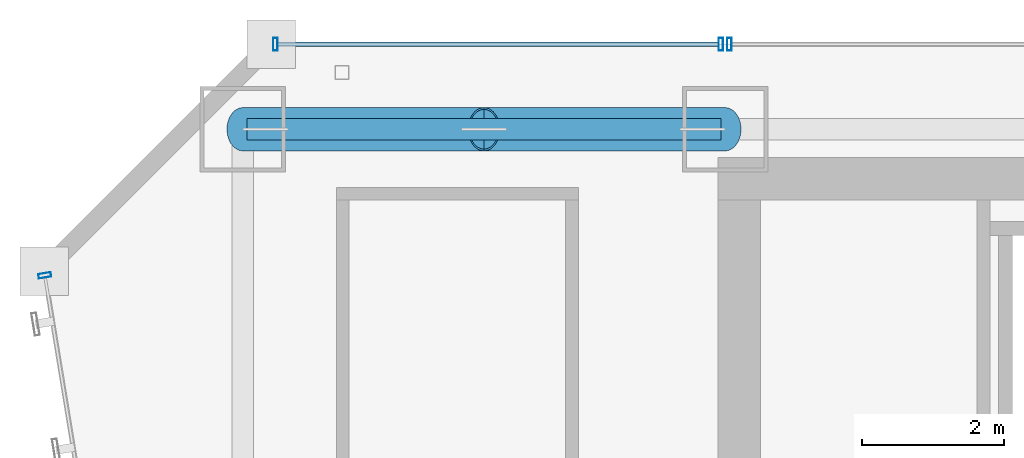
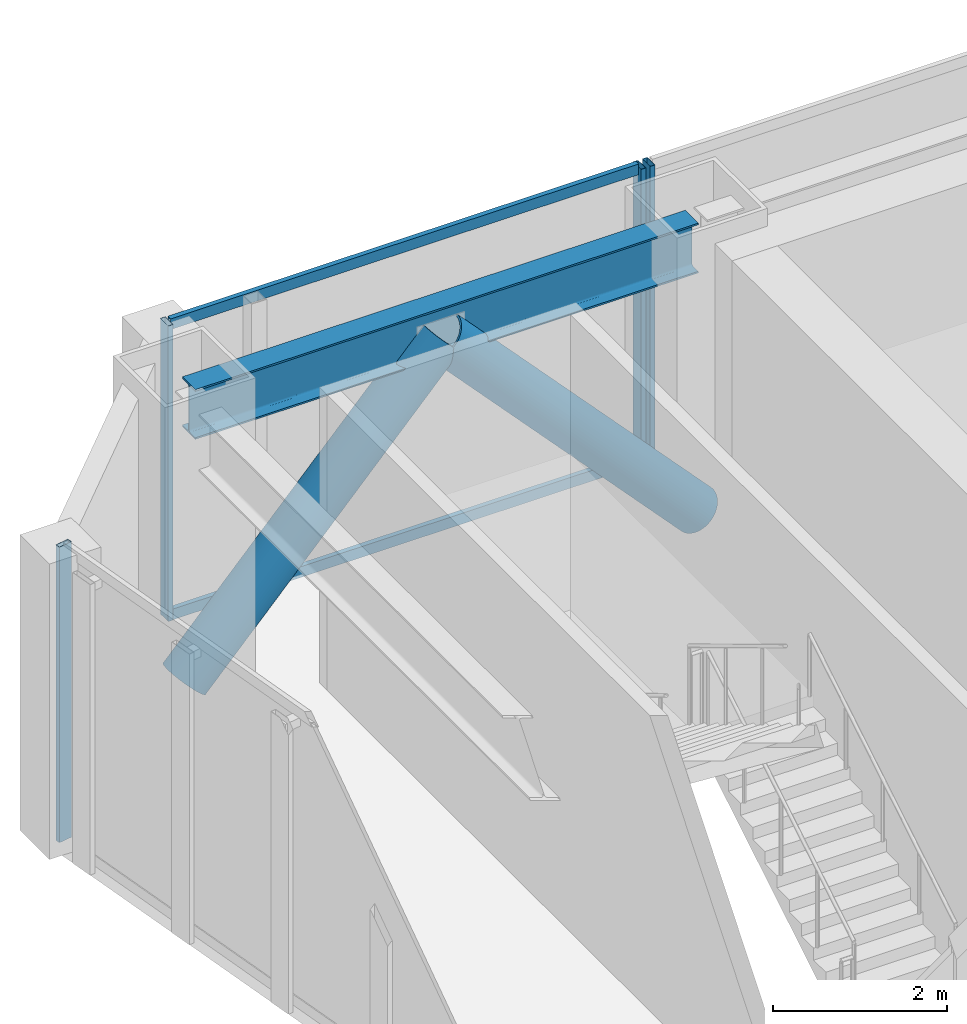
# One storey, part 26 of 49: 8 members, 1 beam, 3 elements without a shape of their own.
"""IFC4 building model written with IfcOpenShell, lengths in metres."""

from ifc_helpers import new_model, si_unit, direction, frame, origin, origin_2d, place, context, subcontext, project, spatial, hollow_rectangle, hollow_circle, i_section, extrude, material, material_profile, profile_set, type_object, element, aggregate, save


model = new_model("IFC4")

# Units and contexts
model_context = context("Model", 3, precision=1e-05, world=origin(), true_north=direction((0.0, 1.0)))
body_context = subcontext(model_context, "Body", "Model", "MODEL_VIEW")
ifc_project = project(units=[si_unit("LENGTHUNIT", "METRE"), si_unit("AREAUNIT", "SQUARE_METRE"), si_unit("VOLUMEUNIT", "CUBIC_METRE"), si_unit("PLANEANGLEUNIT", "RADIAN"), si_unit("MASSUNIT", "GRAM", prefix="KILO")], contexts=[model_context])

# Site, building, storey
site_placement = place(None, origin())
site = spatial("IfcSite", under=ifc_project, at=site_placement, CompositionType="ELEMENT")
building_placement = place(site_placement, origin())
building = spatial("IfcBuilding", under=site, at=building_placement, Name="Saevonmaru Cultural Tower", CompositionType="ELEMENT")
storey_placement = place(building_placement, frame((0.0, 0.0, 73.60009765625)))
storey = spatial("IfcBuildingStorey", under=building, at=storey_placement, Name="L15", CompositionType="ELEMENT", Elevation=73.60009765625)

# Beam
ifc_material_1 = material(Name="Steel SM355", Category="steel")
ifc_material_profile_1 = material_profile(ifc_material_1, i_section(OverallWidth=0.300048828125, OverallDepth=0.699951171875, WebThickness=0.012939453125, FlangeThickness=0.02392578125, FilletRadius=0.02587890625, at=origin_2d()), Name="H-700x300x13x24")
ifc_profile_set_1 = profile_set([ifc_material_profile_1], Name="Steel SM355")
beam_type = type_object("IfcBeamType", Name="BM-SP-H700", PredefinedType="SPANDREL", material=ifc_profile_set_1)
beam_placement = place(storey_placement, frame((6.860107421875, 54.800048828125, 3.7998046875), z_axis=(1.0, 0.0, 0.0), x_axis=(0.0, 1.0, 0.0)))
element("IfcBeam", 1, at=beam_placement, inside=storey, type_object=beam_type, Name="L15 North Spine Girder 1", PredefinedType="SPANDREL", context=body_context, shape_type="SweptSolid", body=[
    extrude(i_section(OverallWidth=0.300048828125, OverallDepth=0.699951171875, WebThickness=0.012939453125, FlangeThickness=0.02392578125, FilletRadius=0.02587890625, at=origin_2d()), origin(), (0.0, 0.0, 1.0), 6.679931640625),
])

# Members
ifc_material_2 = material(Name="Steel HSA600 (600 MPa)", Category="steel")
ifc_material_profile_2 = material_profile(ifc_material_2, hollow_circle(Radius=0.3046875, WallThickness=0.02490234375, at=origin_2d()), Name="CHS-609.6x25")
ifc_profile_set_2 = profile_set([ifc_material_profile_2], Name="Steel HSA600 (600 MPa)")
member_type_1 = type_object("IfcMemberType", Name="MB-PBR-CHS610", PredefinedType="BRACE", material=ifc_profile_set_2)
member_1_placement = place(storey_placement, frame((6.800048828125, 54.800048828125, 0.02001953125), z_axis=(0.681602937137, 0.0, 0.73172223971), x_axis=(0.0, 1.0, 0.0)))
element("IfcMember", 2, at=member_1_placement, inside=storey, type_object=member_type_1, Name="L15 Perimeter Braced-Tube Diagonal WN1", PredefinedType="BRACE", context=body_context, shape_type="SweptSolid", body=[
    extrude(hollow_circle(Radius=0.3046875, WallThickness=0.02490234375, at=origin_2d()), origin(), (0.0, 0.0, 1.0), 4.988037109375),
])
member_2_placement = place(storey_placement, frame((13.60009765625, 54.800048828125, 0.02001953125), z_axis=(-0.681629141635, 0.0, 0.731697829212), x_axis=(0.0, -1.0, 0.0)))
element("IfcMember", 3, at=member_2_placement, inside=storey, type_object=member_type_1, Name="L15 Perimeter Braced-Tube Diagonal WN2", PredefinedType="BRACE", context=body_context, shape_type="SweptSolid", body=[
    extrude(hollow_circle(Radius=0.3046875, WallThickness=0.02490234375, at=origin_2d()), origin(), (0.0, 0.0, 1.0), 4.98828125),
])

# Curtain wall, member
ifc_material_3 = material(Name="Satin Bronze Anodised Aluminium", Category="aluminium")
curtain_wall_type = type_object("IfcCurtainWallType", Name="CW-TYP-A", PredefinedType="NOTDEFINED", material=ifc_material_3)
curtain_wall_1_placement = place(storey_placement, origin())
curtain_wall_1 = element("IfcCurtainWall", 4, at=curtain_wall_1_placement, inside=storey, type_object=curtain_wall_type, Name="L15 North Spine Unitised Curtain Wall E10B", PredefinedType="NOTDEFINED")
ifc_material_profile_3 = material_profile(ifc_material_3, hollow_rectangle(XDim=0.06494140625, YDim=0.179931640625, WallThickness=0.00390625, at=origin_2d()), Name="ALU-MULL-180x65x4")
ifc_profile_set_3 = profile_set([ifc_material_profile_3], Name="Satin Bronze Anodised Aluminium")
member_type_2 = type_object("IfcMemberType", Name="ML-CW-180x65", PredefinedType="MULLION", material=ifc_profile_set_3)
member_3_placement = place(storey_placement, frame((13.659912109375, 56.0, 0.0), z_axis=(0.0, 0.0, 1.0), x_axis=(-1.0, 0.0, 0.0)))
member_3 = element("IfcMember", 5, at=member_3_placement, type_object=member_type_2, Name="CW-TW-L15-E10B mullion 4", PredefinedType="MULLION", context=body_context, shape_type="SweptSolid", body=[
    extrude(hollow_rectangle(XDim=0.06494140625, YDim=0.179931640625, WallThickness=0.00390625, at=origin_2d()), origin(), (0.0, 0.0, 1.0), 4.14990234375),
])
aggregate(curtain_wall_1, [member_3])

# Curtain wall, members
curtain_wall_2_placement = place(storey_placement, origin())
curtain_wall_2 = element("IfcCurtainWall", 6, at=curtain_wall_2_placement, inside=storey, type_object=curtain_wall_type, Name="L15 West Braced Bay Spandrel Curtain Wall E10C", PredefinedType="NOTDEFINED")
member_4_placement = place(storey_placement, frame((13.5400390625, 56.0, 0.0), z_axis=(0.0, 0.0, 1.0), x_axis=(-1.0, 0.0, 0.0)))
member_4 = element("IfcMember", 7, at=member_4_placement, type_object=member_type_2, Name="CW-TW-L15-E10C mullion 1", PredefinedType="MULLION", context=body_context, shape_type="SweptSolid", body=[
    extrude(hollow_rectangle(XDim=0.06494140625, YDim=0.179931640625, WallThickness=0.00390625, at=origin_2d()), origin(), (0.0, 0.0, 1.0), 4.14990234375),
])
member_5_placement = place(storey_placement, frame((7.260009765625, 56.0, 0.0), z_axis=(0.0, 0.0, 1.0), x_axis=(-1.0, 0.0, 0.0)))
member_5 = element("IfcMember", 8, at=member_5_placement, type_object=member_type_2, Name="CW-TW-L15-E10C mullion 2", PredefinedType="MULLION", context=body_context, shape_type="SweptSolid", body=[
    extrude(hollow_rectangle(XDim=0.06494140625, YDim=0.179931640625, WallThickness=0.00390625, at=origin_2d()), origin(), (0.0, 0.0, 1.0), 4.14990234375),
])

# Curtain wall, member
curtain_wall_3_placement = place(storey_placement, origin())
curtain_wall_3 = element("IfcCurtainWall", 9, at=curtain_wall_3_placement, inside=storey, type_object=curtain_wall_type, Name="L15 Unitised Curtain Wall E12", PredefinedType="NOTDEFINED")
member_6_placement = place(storey_placement, frame((4.009765625, 52.74072265625, 0.0), z_axis=(0.0, 0.0, 1.0), x_axis=(0.161708868641, -0.986838508472, 0.0)))
member_6 = element("IfcMember", 10, at=member_6_placement, type_object=member_type_2, Name="CW-TW-L15-E12 mullion 1", PredefinedType="MULLION", context=body_context, shape_type="SweptSolid", body=[
    extrude(hollow_rectangle(XDim=0.06494140625, YDim=0.179931640625, WallThickness=0.00390625, at=origin_2d()), origin(), (0.0, 0.0, 1.0), 4.14990234375),
])
aggregate(curtain_wall_3, [member_6])

# Member
ifc_material_profile_4 = material_profile(ifc_material_3, hollow_rectangle(XDim=0.06494140625, YDim=0.14990234375, WallThickness=0.00390625, at=origin_2d()), Name="ALU-TRAN-150x65x4")
ifc_profile_set_4 = profile_set([ifc_material_profile_4], Name="Satin Bronze Anodised Aluminium")
member_type_3 = type_object("IfcMemberType", Name="TR-CW-150x65", PredefinedType="USERDEFINED", material=ifc_profile_set_4)
member_7_placement = place(storey_placement, frame((13.507568359375, 56.0, 0.032470703125), z_axis=(-1.0, 0.0, 0.0), x_axis=(0.0, -1.0, 0.0)))
member_7 = element("IfcMember", 11, at=member_7_placement, type_object=member_type_3, Name="CW-TW-L15-E10C transom 1.1", ObjectType="TRANSOM", PredefinedType="USERDEFINED", context=body_context, shape_type="SweptSolid", body=[
    extrude(hollow_rectangle(XDim=0.06494140625, YDim=0.14990234375, WallThickness=0.00390625, at=origin_2d()), origin(), (0.0, 0.0, 1.0), 6.215087890625),
])

member_8_placement = place(storey_placement, frame((13.507568359375, 56.0, 4.117431640625), z_axis=(-1.0, 0.0, 0.0), x_axis=(0.0, -1.0, 0.0)))
member_8 = element("IfcMember", 12, at=member_8_placement, type_object=member_type_3, Name="CW-TW-L15-E10C transom 1.2", ObjectType="TRANSOM", PredefinedType="USERDEFINED", context=body_context, shape_type="SweptSolid", body=[
    extrude(hollow_rectangle(XDim=0.06494140625, YDim=0.14990234375, WallThickness=0.00390625, at=origin_2d()), origin(), (0.0, 0.0, 1.0), 6.215087890625),
])

aggregate(curtain_wall_2, [member_4, member_5, member_7, member_8])

save(model, "model.ifc")
